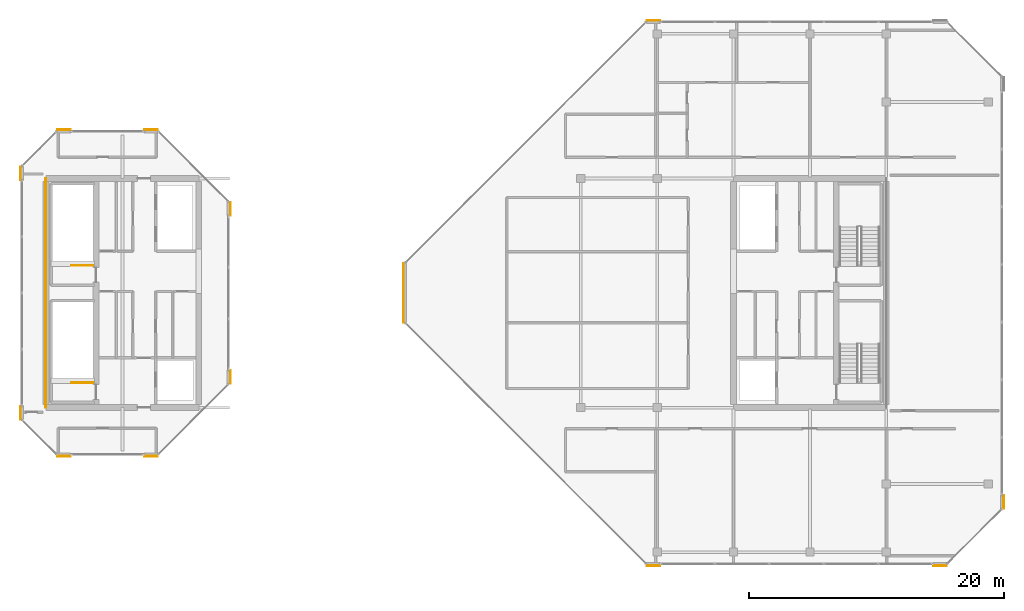
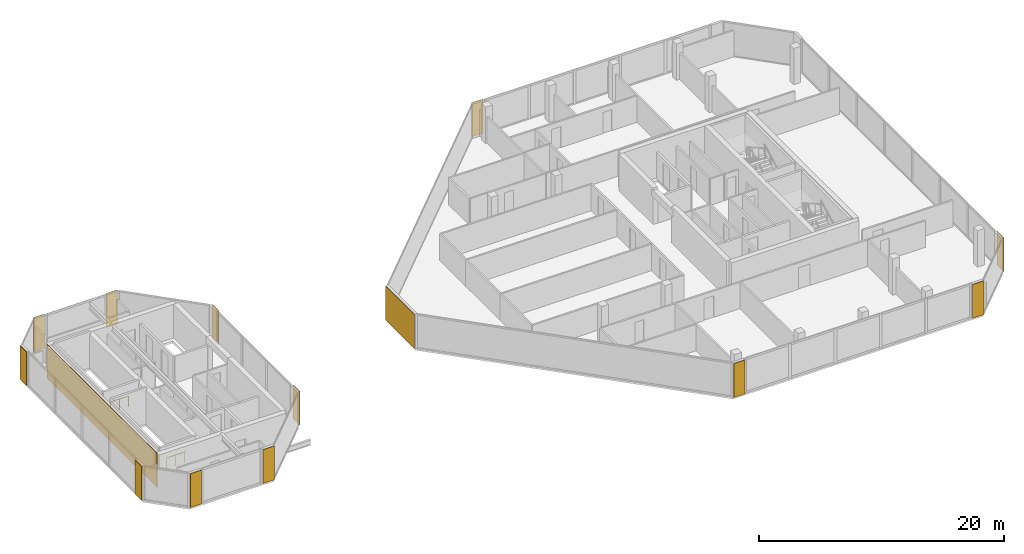
# One storey, part 27 of 28: 14 coverings, 2 railings.
"""IFC4 building model written with IfcOpenShell, lengths in metres."""

from ifc_helpers import new_model, si_unit, direction, frame, origin, origin_2d, place, context, subcontext, project, spatial, rectangle, extrude, material, layer, layer_set, type_object, element, save


model = new_model("IFC4")

# Units and contexts
model_context = context("Model", 3, precision=1e-05, world=origin(), true_north=direction((0.0, 1.0)))
body_context = subcontext(model_context, "Body", "Model", "MODEL_VIEW")
ifc_project = project(units=[si_unit("LENGTHUNIT", "METRE"), si_unit("AREAUNIT", "SQUARE_METRE"), si_unit("VOLUMEUNIT", "CUBIC_METRE"), si_unit("PLANEANGLEUNIT", "RADIAN"), si_unit("MASSUNIT", "GRAM", prefix="KILO")], contexts=[model_context])

# Site, building, storey
site_placement = place(None, origin())
site = spatial("IfcSite", under=ifc_project, at=site_placement, CompositionType="ELEMENT")
building_placement = place(site_placement, origin())
building = spatial("IfcBuilding", under=site, at=building_placement, Name="Tanjung Sevakor Pilgrim Tower", CompositionType="ELEMENT")
storey_placement = place(building_placement, frame((0.0, 0.0, 257.070068359375)))
storey = spatial("IfcBuildingStorey", under=building, at=storey_placement, Name="L72", CompositionType="ELEMENT", Elevation=257.070068359375)

# Coverings
ifc_material_1 = material(Name="Reconstructed Limestone Cladding", Category="masonry")
ifc_layer = layer(ifc_material_1, 0.044921875)
ifc_layer_set = layer_set([ifc_layer], Name="COV-CLAD-LIMESTONE")
covering_type = type_object("IfcCoveringType", Name="COV-CLAD-LIMESTONE", PredefinedType="CLADDING", material=ifc_layer_set)
for number, where, z_axis, x_axis, name in (
    (1, (25.3955078125, 20.777587890625, 0.019775390625), (0.0, 0.0, 1.0), (1.0, 0.0, 0.0), "L72 Warm Limestone Wall Cladding EW-CRN1-L72-WEST-0-1"),
    (2, (32.25439453125, 20.777587890625, 0.019775390625), (0.0, 0.0, 1.0), (1.0, 0.0, 0.0), "L72 Warm Limestone Wall Cladding EW-CRN2-L72-WEST-0-1"),
    (3, (38.472412109375, 26.99560546875, 0.019775390625), (0.0, 0.0, 1.0), (0.0, 1.0, 0.0), "L72 Warm Limestone Wall Cladding EW-CRN1-L72-WEST-2-1"),
    (4, (38.472412109375, 40.204345703125, 0.019775390625), (0.0, 0.0, 1.0), (0.0, 1.0, 0.0), "L72 Warm Limestone Wall Cladding EW-CRN2-L72-WEST-2-1"),
    (5, (32.25439453125, 46.422607421875, 0.019775390625), (0.0, 0.0, 1.0), (-1.0, 0.0, 0.0), "L72 Warm Limestone Wall Cladding EW-CRN1-L72-WEST-4-1"),
    (6, (25.3955078125, 46.422607421875, 0.019775390625), (0.0, 0.0, 1.0), (-1.0, 0.0, 0.0), "L72 Warm Limestone Wall Cladding EW-CRN2-L72-WEST-4-1"),
    (7, (21.9775390625, 43.00439453125, 0.019775390625), (0.0, 0.0, 1.0), (0.0, -1.0, 0.0), "L72 Warm Limestone Wall Cladding EW-CRN1-L72-WEST-6-1"),
    (8, (21.9775390625, 24.195556640625, 0.019775390625), (0.0, 0.0, 1.0), (0.0, -1.0, 0.0), "L72 Warm Limestone Wall Cladding EW-CRN2-L72-WEST-6-1"),
    (9, (71.695556640625, 12.177490234375, 0.019775390625), (0.0, 0.0, 1.0), (1.0, 0.0, 0.0), "L72 Warm Limestone Wall Cladding EW-CRN1-L72-EAST-0-1"),
    (10, (94.204345703125, 12.177490234375, 0.019775390625), (0.0, 0.0, 1.0), (1.0, 0.0, 0.0), "L72 Warm Limestone Wall Cladding EW-CRN2-L72-EAST-0-1"),
    (11, (99.222412109375, 17.195556640625, 0.019775390625), (0.0, 0.0, 1.0), (0.0, 1.0, 0.0), "L72 Warm Limestone Wall Cladding EW-CRN1-L72-EAST-2-1"),
    (12, (71.695556640625, 55.0224609375, 0.019775390625), (0.0, 0.0, 1.0), (-1.0, 0.0, 0.0), "L72 Warm Limestone Wall Cladding EW-CRN2-L72-EAST-4-1"),
):
    element("IfcCovering", number, at=place(storey_placement, frame(where, z_axis=z_axis, x_axis=x_axis)), inside=storey, type_object=covering_type, Name=name, PredefinedType="CLADDING", context=body_context, shape_type="SweptSolid", body=[
        extrude(rectangle(XDim=1.06005859375, YDim=0.044921875, at=origin_2d()), origin(), (0.0, 0.0, 1.0), 3.3701171875),
    ])
covering_1_placement = place(storey_placement, frame((52.077392578125, 33.60009765625, 0.019775390625), z_axis=(0.0, 0.0, 1.0), x_axis=(0.0, -1.0, 0.0)))
element("IfcCovering", 13, at=covering_1_placement, inside=storey, type_object=covering_type, Name="L72 Warm Limestone Wall Cladding EW-L72-EAST-7", PredefinedType="CLADDING", context=body_context, shape_type="SweptSolid", body=[
    extrude(rectangle(XDim=4.668701171875, YDim=0.044921875, at=origin_2d()), origin(), (0.0, 0.0, 1.0), 3.3701171875),
])
covering_2_placement = place(storey_placement, frame((23.9775390625, 33.60009765625, 0.019775390625), z_axis=(0.0, 0.0, 1.0), x_axis=(1.0, 0.0, 0.0)))
element("IfcCovering", 14, at=covering_2_placement, inside=storey, type_object=covering_type, Name="L72 Expressed Core Warm Limestone Cladding W", PredefinedType="CLADDING", context=body_context, shape_type="SweptSolid", body=[
    extrude(rectangle(XDim=0.044921875, YDim=18.0, at=origin_2d()), origin(), (0.0, 0.0, 1.0), 3.3701171875),
])

# Railings
ifc_material_2 = material(Name="Steel S355J2", Category="steel")
railing_type = type_object("IfcRailingType", Name="RL-STAIR-GUARD", PredefinedType="GUARDRAIL", material=ifc_material_2)
for number, where, name in (
    (15, (27.699951171875, 26.550048828125, 0.0), "L72 TS-W1 top well guard 1"),
    (16, (27.699951171875, 35.75, 0.0), "L72 TS-W2 top well guard 1"),
):
    element("IfcRailing", number, at=place(storey_placement, frame(where)), inside=storey, type_object=railing_type, Name=name, PredefinedType="GUARDRAIL", context=body_context, shape_type="SweptSolid", body=[
        extrude(rectangle(XDim=0.0479, YDim=0.0479), frame((0.0, 0.0, 1.076171875), z_axis=(-1.0, 0.0, 0.0), x_axis=(0.0, -1.0, 0.0)), (0.0, 0.0, 1.0), 1.699951171875),
        extrude(rectangle(XDim=0.042, YDim=0.042), origin(), (0.0, 0.0, 1.0), 1.052001953125),
        extrude(rectangle(XDim=0.042, YDim=0.042), frame((-0.85009765625, 0.0, 0.0)), (0.0, 0.0, 1.0), 1.052001953125),
        extrude(rectangle(XDim=0.042, YDim=0.042), frame((-1.699951171875, 0.0, 0.0)), (0.0, 0.0, 1.0), 1.052001953125),
    ])

save(model, "model.ifc")
